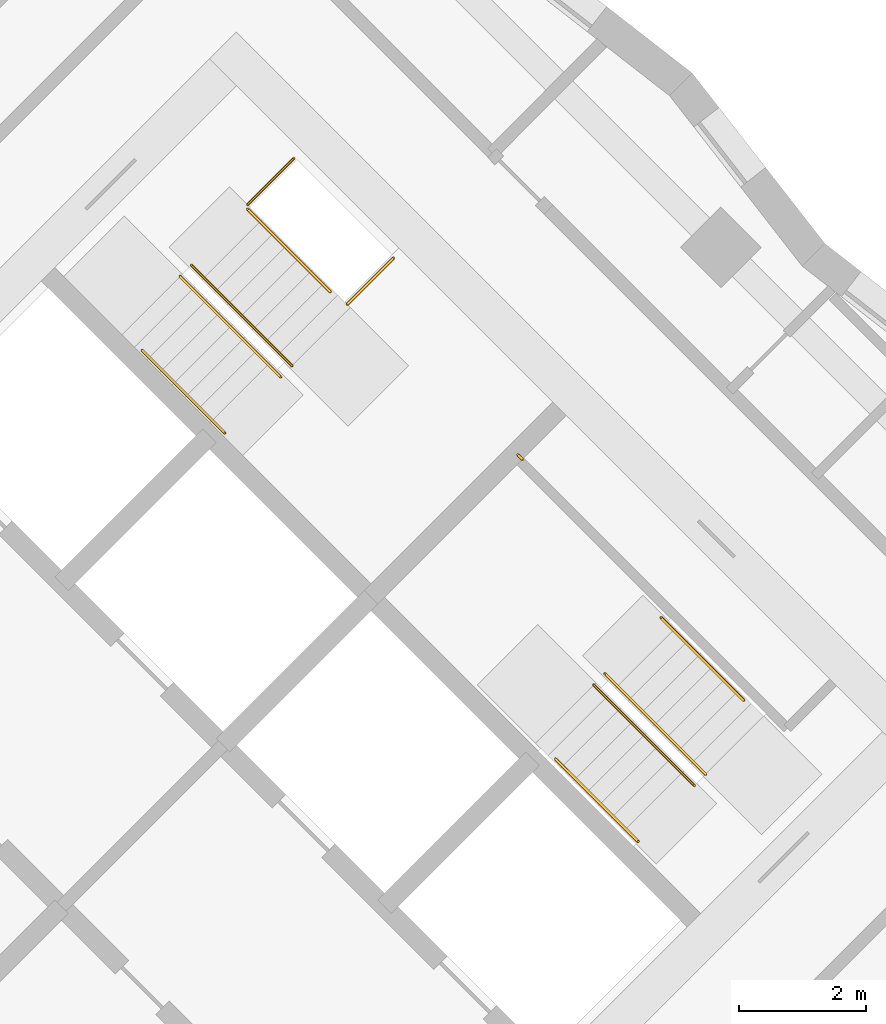
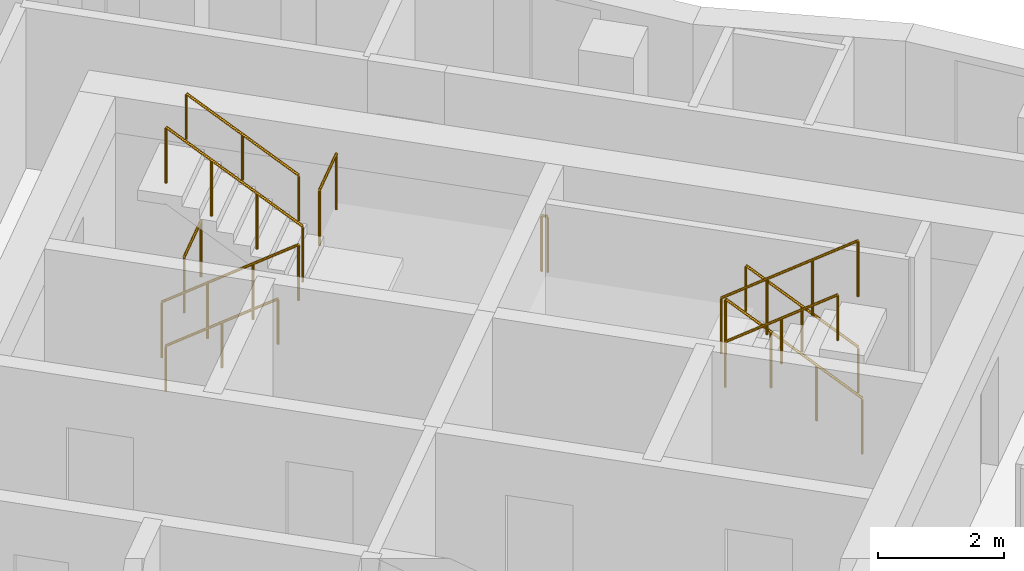
# One storey, part 12 of 12: 11 railings.
"""IFC4 building model written with IfcOpenShell, lengths in metres."""

from ifc_helpers import new_model, si_unit, direction, frame, origin, origin_2d, place, context, subcontext, project, spatial, circle, extrude, material, type_object, element, save


model = new_model("IFC4")

# Units and contexts
model_context = context("Model", 3, precision=1e-05, world=origin(), true_north=direction((0.0, 1.0)))
body_context = subcontext(model_context, "Body", "Model", "MODEL_VIEW")
ifc_project = project(units=[si_unit("LENGTHUNIT", "METRE"), si_unit("AREAUNIT", "SQUARE_METRE"), si_unit("VOLUMEUNIT", "CUBIC_METRE"), si_unit("PLANEANGLEUNIT", "RADIAN"), si_unit("MASSUNIT", "GRAM", prefix="KILO")], contexts=[model_context])

# Site, building, storey
site_placement = place(None, origin())
site = spatial("IfcSite", under=ifc_project, at=site_placement, CompositionType="ELEMENT")
building_placement = place(site_placement, origin())
building = spatial("IfcBuilding", under=site, at=building_placement, Name="Windrow Commons", CompositionType="ELEMENT")
storey_placement = place(building_placement, frame((0.0, 0.0, 149.0)))
storey = spatial("IfcBuildingStorey", under=building, at=storey_placement, Name="L40", CompositionType="ELEMENT", Elevation=149.0)

# Railings
ifc_material_1 = material(Name="Steel S355", Category="steel")
railing_type_1 = type_object("IfcRailingType", Name="Core stair guard 1100", PredefinedType="GUARDRAIL", material=ifc_material_1)
railing_1_placement = place(storey_placement, frame((85.9529, 56.2669, 0.1889)))
element("IfcRailing", 1, at=railing_1_placement, inside=storey, type_object=railing_type_1, Name="L40 ST-B1 stair guard 1", PredefinedType="GUARDRAIL", context=body_context, shape_type="SweptSolid", body=[
    extrude(circle(Radius=0.024, at=origin_2d()), frame((0.0, 0.0, 1.076), z_axis=(0.5861914914, -0.5861914914, 0.5592486664), x_axis=(0.7071067812, 0.7071067812, 0.0)), (0.0, 0.0, 1.0), 2.702),
    extrude(circle(Radius=0.021, at=origin_2d()), origin(), (0.0, 0.0, 1.0), 1.052),
    extrude(circle(Radius=0.021, at=origin_2d()), frame((0.528, -0.528, 0.5037)), (0.0, 0.0, 1.0), 1.052),
    extrude(circle(Radius=0.021, at=origin_2d()), frame((1.0559, -1.0559, 1.0074)), (0.0, 0.0, 1.0), 1.052),
    extrude(circle(Radius=0.021, at=origin_2d()), frame((1.5839, -1.5839, 1.5111)), (0.0, 0.0, 1.0), 1.052),
])
railing_2_placement = place(storey_placement, frame((87.7136, 54.8597, 1.8889)))
element("IfcRailing", 2, at=railing_2_placement, inside=storey, type_object=railing_type_1, Name="L40 ST-B1 stair guard 2", PredefinedType="GUARDRAIL", context=body_context, shape_type="SweptSolid", body=[
    extrude(circle(Radius=0.024, at=origin_2d()), frame((0.0, 0.0, 1.076), z_axis=(-0.5862030657, 0.5862030657, 0.5592244018), x_axis=(-0.7071067812, -0.7071067812, 0.0)), (0.0, 0.0, 1.0), 2.7021),
    extrude(circle(Radius=0.021, at=origin_2d()), origin(), (0.0, 0.0, 1.0), 1.052),
    extrude(circle(Radius=0.021, at=origin_2d()), frame((-0.528, 0.528, 0.5037)), (0.0, 0.0, 1.0), 1.052),
    extrude(circle(Radius=0.021, at=origin_2d()), frame((-1.056, 1.056, 1.0074)), (0.0, 0.0, 1.0), 1.052),
    extrude(circle(Radius=0.021, at=origin_2d()), frame((-1.584, 1.584, 1.5111)), (0.0, 0.0, 1.0), 1.052),
])
railing_3_placement = place(storey_placement, frame((87.0135, 57.3982, 0.0)))
element("IfcRailing", 3, at=railing_3_placement, inside=storey, type_object=railing_type_1, Name="L40 ST-B1 stair guard 3", PredefinedType="GUARDRAIL", context=body_context, shape_type="SweptSolid", body=[
    extrude(circle(Radius=0.024, at=origin_2d()), frame((0.0, 0.0, 1.076), z_axis=(0.7070582378, 0.7071553212, 0.0), x_axis=(-0.7071553212, 0.7070582378, 0.0)), (0.0, 0.0, 1.0), 1.03),
    extrude(circle(Radius=0.021, at=origin_2d()), origin(), (0.0, 0.0, 1.0), 1.052),
    extrude(circle(Radius=0.021, at=origin_2d()), frame((0.7283, 0.7284, 0.0)), (0.0, 0.0, 1.0), 1.052),
])
railing_4_placement = place(storey_placement, frame((88.5833, 55.8285, 1.7)))
element("IfcRailing", 4, at=railing_4_placement, inside=storey, type_object=railing_type_1, Name="L40 ST-B1 stair guard 4", PredefinedType="GUARDRAIL", context=body_context, shape_type="SweptSolid", body=[
    extrude(circle(Radius=0.024, at=origin_2d()), frame((0.0, 0.0, 1.076), z_axis=(0.7071067812, 0.7071067812, 0.0), x_axis=(-0.7071067812, 0.7071067812, 0.0)), (0.0, 0.0, 1.0), 1.03),
    extrude(circle(Radius=0.021, at=origin_2d()), origin(), (0.0, 0.0, 1.0), 1.052),
    extrude(circle(Radius=0.021, at=origin_2d()), frame((0.7283, 0.7283, 0.0)), (0.0, 0.0, 1.0), 1.052),
])
railing_5_placement = place(storey_placement, frame((94.2296, 48.4215, 0.1889)))
element("IfcRailing", 5, at=railing_5_placement, inside=storey, type_object=railing_type_1, Name="L40 ST-B2 stair guard 1", PredefinedType="GUARDRAIL", context=body_context, shape_type="SweptSolid", body=[
    extrude(circle(Radius=0.024, at=origin_2d()), frame((0.0, 0.0, 1.076), z_axis=(-0.5862157828, 0.5861787742, 0.5592365337), x_axis=(-0.7070844598, -0.7071291018, 0.0)), (0.0, 0.0, 1.0), 2.7021),
    extrude(circle(Radius=0.021, at=origin_2d()), origin(), (0.0, 0.0, 1.0), 1.052),
    extrude(circle(Radius=0.021, at=origin_2d()), frame((-0.528, 0.528, 0.5037)), (0.0, 0.0, 1.0), 1.052),
    extrude(circle(Radius=0.021, at=origin_2d()), frame((-1.056, 1.0559, 1.0074)), (0.0, 0.0, 1.0), 1.052),
    extrude(circle(Radius=0.021, at=origin_2d()), frame((-1.584, 1.5839, 1.5111)), (0.0, 0.0, 1.0), 1.052),
])
railing_6_placement = place(storey_placement, frame((92.4689, 49.8287, 1.8889)))
element("IfcRailing", 6, at=railing_6_placement, inside=storey, type_object=railing_type_1, Name="L40 ST-B2 stair guard 2", PredefinedType="GUARDRAIL", context=body_context, shape_type="SweptSolid", body=[
    extrude(circle(Radius=0.024, at=origin_2d()), frame((0.0, 0.0, 1.076), z_axis=(0.5861787742, -0.5862157828, 0.5592365337), x_axis=(0.7071291018, 0.7070844598, 0.0)), (0.0, 0.0, 1.0), 2.7021),
    extrude(circle(Radius=0.021, at=origin_2d()), origin(), (0.0, 0.0, 1.0), 1.052),
    extrude(circle(Radius=0.021, at=origin_2d()), frame((0.528, -0.528, 0.5037)), (0.0, 0.0, 1.0), 1.052),
    extrude(circle(Radius=0.021, at=origin_2d()), frame((1.0559, -1.056, 1.0074)), (0.0, 0.0, 1.0), 1.052),
    extrude(circle(Radius=0.021, at=origin_2d()), frame((1.5839, -1.584, 1.5111)), (0.0, 0.0, 1.0), 1.052),
])
railing_7_placement = place(storey_placement, frame((91.3446, 53.3854, 1.7)))
element("IfcRailing", 7, at=railing_7_placement, inside=storey, type_object=railing_type_1, Name="L40 ST-B2 stair guard 3", PredefinedType="GUARDRAIL", context=body_context, shape_type="SweptSolid", body=[
    extrude(circle(Radius=0.024, at=origin_2d()), frame((0.0, 0.0, 1.076), z_axis=(-0.7076063266, 0.7066068826, 0.0), x_axis=(-0.7066068826, -0.7076063266, 0.0)), (0.0, 0.0, 1.0), 0.1001),
    extrude(circle(Radius=0.021, at=origin_2d()), origin(), (0.0, 0.0, 1.0), 1.052),
    extrude(circle(Radius=0.021, at=origin_2d()), frame((-0.0708, 0.0707, 0.0)), (0.0, 0.0, 1.0), 1.052),
])
ifc_material_2 = material(Name="Steel S355", Category="steel")
railing_type_2 = type_object("IfcRailingType", Name="Core stair handrail 900", PredefinedType="HANDRAIL", material=ifc_material_2)
railing_8_placement = place(storey_placement, frame((85.3518, 55.1001, 0.4587)))
element("IfcRailing", 8, at=railing_8_placement, inside=storey, type_object=railing_type_2, Name="L40 ST-B1 stair handrail 1", PredefinedType="HANDRAIL", context=body_context, shape_type="SweptSolid", body=[
    extrude(circle(Radius=0.024, at=origin_2d()), frame((0.0, 0.0, 0.876), z_axis=(0.586206706, -0.5861616513, 0.5592639952), x_axis=(0.7070796062, 0.7071339551, 0.0)), (0.0, 0.0, 1.0), 2.2195),
    extrude(circle(Radius=0.021, at=origin_2d()), origin(), (0.0, 0.0, 1.0), 0.852),
    extrude(circle(Radius=0.021, at=origin_2d()), frame((0.6506, -0.6505, 0.6206)), (0.0, 0.0, 1.0), 0.852),
    extrude(circle(Radius=0.021, at=origin_2d()), frame((1.3011, -1.301, 1.2413)), (0.0, 0.0, 1.0), 0.852),
])
for number, where, name in (
    (9, (88.3146, 56.0265, 2.1587), "L40 ST-B1 stair handrail 2"),
    (10, (94.8306, 49.5883, 0.4587), "L40 ST-B2 stair handrail 1"),
):
    element("IfcRailing", number, at=place(storey_placement, frame(where)), inside=storey, type_object=railing_type_2, Name=name, PredefinedType="HANDRAIL", context=body_context, shape_type="SweptSolid", body=[
        extrude(circle(Radius=0.024, at=origin_2d()), frame((0.0, 0.0, 0.876), z_axis=(-0.586206706, 0.5861616513, 0.5592639952), x_axis=(-0.7070796062, -0.7071339551, 0.0)), (0.0, 0.0, 1.0), 2.2195),
        extrude(circle(Radius=0.021, at=origin_2d()), origin(), (0.0, 0.0, 1.0), 0.852),
        extrude(circle(Radius=0.021, at=origin_2d()), frame((-0.6506, 0.6505, 0.6206)), (0.0, 0.0, 1.0), 0.852),
        extrude(circle(Radius=0.021, at=origin_2d()), frame((-1.3011, 1.301, 1.2413)), (0.0, 0.0, 1.0), 0.852),
    ])
railing_9_placement = place(storey_placement, frame((91.8678, 48.6619, 2.1587)))
element("IfcRailing", 11, at=railing_9_placement, inside=storey, type_object=railing_type_2, Name="L40 ST-B2 stair handrail 2", PredefinedType="HANDRAIL", context=body_context, shape_type="SweptSolid", body=[
    extrude(circle(Radius=0.024, at=origin_2d()), frame((0.0, 0.0, 0.876), z_axis=(0.586206706, -0.5861616513, 0.5592639952), x_axis=(0.7070796062, 0.7071339551, 0.0)), (0.0, 0.0, 1.0), 2.2195),
    extrude(circle(Radius=0.021, at=origin_2d()), origin(), (0.0, 0.0, 1.0), 0.852),
    extrude(circle(Radius=0.021, at=origin_2d()), frame((0.6505, -0.6505, 0.6206)), (0.0, 0.0, 1.0), 0.852),
    extrude(circle(Radius=0.021, at=origin_2d()), frame((1.3011, -1.301, 1.2413)), (0.0, 0.0, 1.0), 0.852),
])

save(model, "model.ifc")
